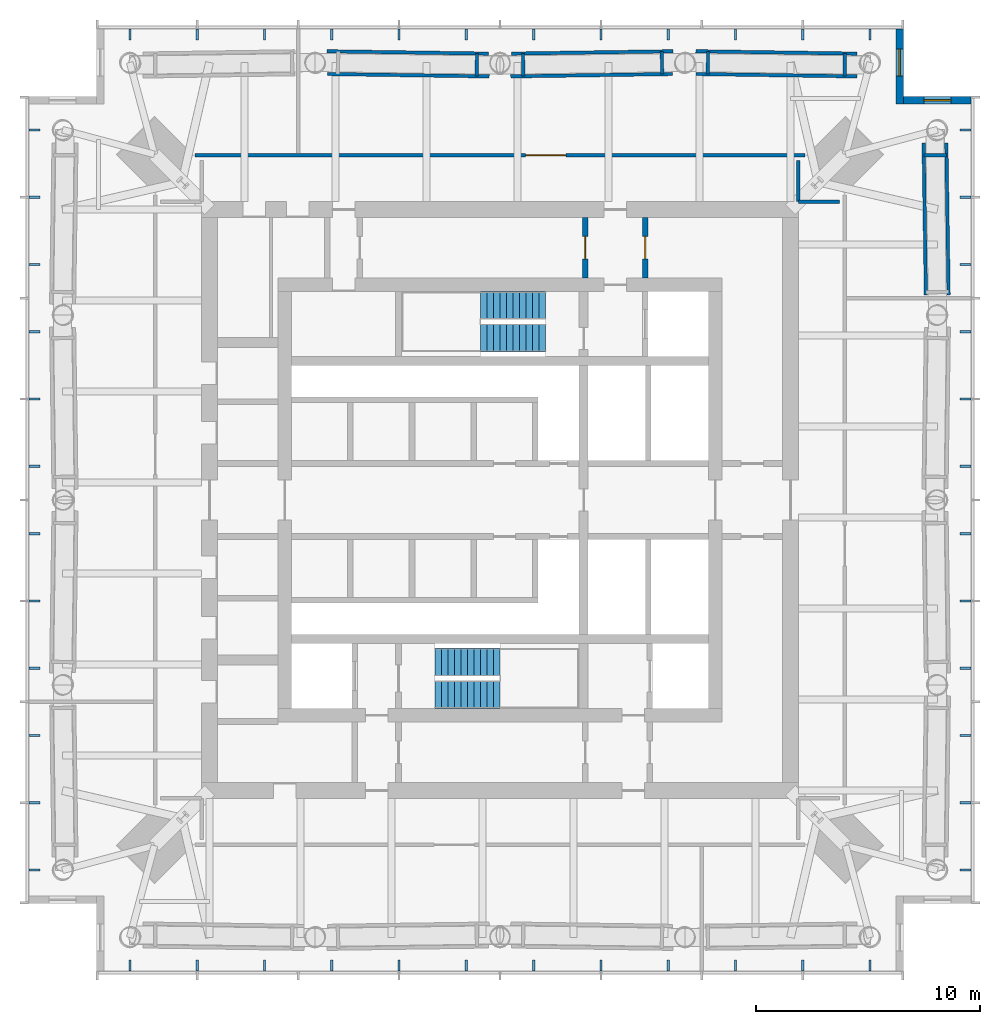
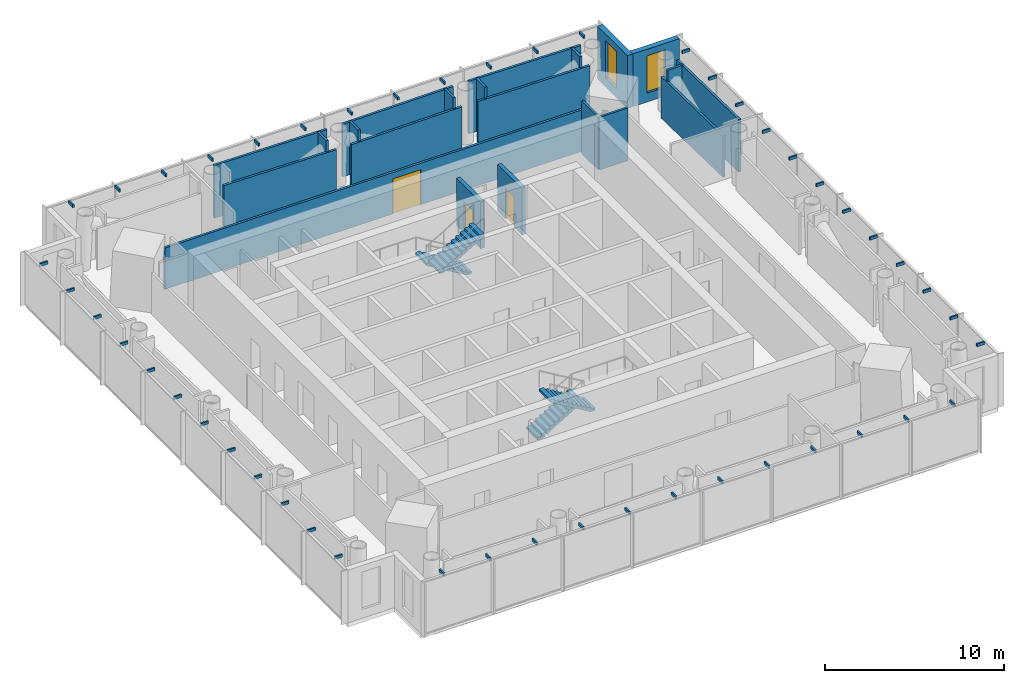
# One storey, part 8 of 9: 48 discrete accessories, 21 walls, 4 stair flights, 3 doors, 2 windows, 5 openings, 2 elements without a shape of their own.
"""IFC4 building model written with IfcOpenShell, lengths in metres."""

from ifc_helpers import new_model, si_unit, direction, frame, frame_2d, origin, origin_2d, place, context, subcontext, project, spatial, polyline, rectangle, outline, extrude, material, layer, layer_set, type_object, element, fill, aggregate, save


model = new_model("IFC4")

# Units and contexts
model_context = context("Model", 3, precision=1e-05, world=origin(), true_north=direction((0.0, 1.0)))
body_context = subcontext(model_context, "Body", "Model", "MODEL_VIEW")
ifc_project = project(units=[si_unit("LENGTHUNIT", "METRE"), si_unit("AREAUNIT", "SQUARE_METRE"), si_unit("VOLUMEUNIT", "CUBIC_METRE"), si_unit("PLANEANGLEUNIT", "RADIAN"), si_unit("MASSUNIT", "GRAM", prefix="KILO")], contexts=[model_context])

# Site, building, storey
site_placement = place(None, origin())
site = spatial("IfcSite", under=ifc_project, at=site_placement, CompositionType="ELEMENT")
building_placement = place(site_placement, origin())
building = spatial("IfcBuilding", under=site, at=building_placement, Name="Ostroluk Exchange", CompositionType="ELEMENT")
storey_placement = place(building_placement, frame((0.0, 0.0, 161.60009765625)))
storey = spatial("IfcBuildingStorey", under=building, at=storey_placement, Name="L41", CompositionType="ELEMENT", Elevation=161.60009765625)

# Wall, opening, door
ifc_material_1 = material(Name="Concrete blockwork", Category="masonry")
ifc_layer_1 = layer(ifc_material_1, 0.25)
ifc_layer_set_1 = layer_set([ifc_layer_1], Name="Blockwork stair enclosure wall 250")
wall_type_1 = type_object("IfcWallType", Name="Blockwork stair enclosure wall 250", PredefinedType="SOLIDWALL", material=ifc_layer_set_1)
wall_1_placement = place(storey_placement, frame((48.804931640625, 55.89990234375, 0.0), z_axis=(0.0, 0.0, 1.0), x_axis=(0.0, 1.0, 0.0)))
wall_1 = element("IfcWall", 1, at=wall_1_placement, inside=storey, type_object=wall_type_1, Name="Fire lobby enclosure wall", PredefinedType="SOLIDWALL", context=body_context, shape_type="SweptSolid", body=[
    extrude(rectangle(XDim=2.7001953125, YDim=0.25, at=frame_2d((1.35009765625, 0.0))), origin(), (0.0, 0.0, 1.0), 3.199951171875),
])
opening_1_placement = place(wall_1_placement, frame((0.85009765625, 0.0, 0.0)))
opening_1 = element("IfcOpeningElement", 2, at=opening_1_placement, cuts=wall_1, Name="Opening FD60", PredefinedType="OPENING", context=body_context, shape_type="SweptSolid", body=[
    extrude(rectangle(XDim=1.0, YDim=2.10009765625, at=frame_2d((0.5, 1.050048828125))), frame((0.0, 0.135009765625, 0.0), z_axis=(0.0, -1.0, 0.0), x_axis=(1.0, 0.0, 0.0)), (0.0, 0.0, 1.0), 0.27001953125),
])
ifc_material_2 = material(Name="Steel", Category="steel")
door_type_1 = type_object("IfcDoorType", Name="Fire door EI 60 1000 x 2100", OperationType="SINGLE_SWING_LEFT", PredefinedType="DOOR", material=ifc_material_2)
door_1_placement = place(opening_1_placement, origin())
door_1 = element("IfcDoor", 3, at=door_1_placement, inside=storey, type_object=door_type_1, Name="Core link door", OperationType="SINGLE_SWING_LEFT", OverallHeight=2.10009765625, OverallWidth=1.0, PredefinedType="DOOR", context=body_context, shape_type="SweptSolid", body=[
    extrude(rectangle(XDim=1.0, YDim=2.10009765625, at=frame_2d((0.5, 1.050048828125))), frame((0.0, 0.02490234375, 0.0), z_axis=(0.0, -1.0, 0.0), x_axis=(1.0, 0.0, 0.0)), (0.0, 0.0, 1.0), 0.050048828125),
])
fill(opening_1, door_1)

wall_2_placement = place(storey_placement, frame((51.47509765625, 55.89990234375, 0.0), z_axis=(0.0, 0.0, 1.0), x_axis=(0.0, 1.0, 0.0)))
wall_2 = element("IfcWall", 4, at=wall_2_placement, inside=storey, type_object=wall_type_1, Name="Fire lobby enclosure wall", PredefinedType="SOLIDWALL", context=body_context, shape_type="SweptSolid", body=[
    extrude(rectangle(XDim=2.7001953125, YDim=0.25, at=frame_2d((1.35009765625, 0.0))), origin(), (0.0, 0.0, 1.0), 3.199951171875),
])
opening_2_placement = place(wall_2_placement, frame((0.85009765625, 0.0, 0.0)))
opening_2 = element("IfcOpeningElement", 5, at=opening_2_placement, cuts=wall_2, Name="Opening FD60", PredefinedType="OPENING", context=body_context, shape_type="SweptSolid", body=[
    extrude(rectangle(XDim=1.0, YDim=2.10009765625, at=frame_2d((0.5, 1.050048828125))), frame((0.0, 0.135009765625, 0.0), z_axis=(0.0, -1.0, 0.0), x_axis=(1.0, 0.0, 0.0)), (0.0, 0.0, 1.0), 0.27001953125),
])
door_2_placement = place(opening_2_placement, origin())
door_2 = element("IfcDoor", 6, at=door_2_placement, inside=storey, type_object=door_type_1, Name="Core link door", OperationType="SINGLE_SWING_LEFT", OverallHeight=2.10009765625, OverallWidth=1.0, PredefinedType="DOOR", context=body_context, shape_type="SweptSolid", body=[
    extrude(rectangle(XDim=1.0, YDim=2.10009765625, at=frame_2d((0.5, 1.050048828125))), frame((0.0, 0.02490234375, 0.0), z_axis=(0.0, -1.0, 0.0), x_axis=(1.0, 0.0, 0.0)), (0.0, 0.0, 1.0), 0.050048828125),
])
fill(opening_2, door_2)

# Wall, opening, window
ifc_material_3 = material(Name="Limestone", Category="masonry")
ifc_layer_2 = layer(ifc_material_3, 0.35009765625)
ifc_layer_set_2 = layer_set([ifc_layer_2], Name="Limestone facade wall 350")
wall_type_2 = type_object("IfcWallType", Name="Limestone facade wall 350", PredefinedType="SOLIDWALL", material=ifc_layer_set_2)
wall_3_placement = place(storey_placement, frame((62.824951171875, 67.0, 0.0), z_axis=(0.0, 0.0, 1.0), x_axis=(0.0, -1.0, 0.0)))
wall_3 = element("IfcWall", 7, at=wall_3_placement, inside=storey, type_object=wall_type_2, Name="Office tower NE corner wall L41 a", PredefinedType="SOLIDWALL", context=body_context, shape_type="SweptSolid", body=[
    extrude(rectangle(XDim=3.35009765625, YDim=0.35009765625, at=frame_2d((1.675048828125, 0.0))), origin(), (0.0, 0.0, 1.0), 3.599853515625),
])
opening_3_placement = place(wall_3_placement, frame((0.89990234375, 0.0, 0.60009765625)))
opening_3 = element("IfcOpeningElement", 8, at=opening_3_placement, cuts=wall_3, Name="Opening WN-LV1", PredefinedType="OPENING", context=body_context, shape_type="SweptSolid", body=[
    extrude(rectangle(XDim=1.199951171875, YDim=2.550048828125, at=frame_2d((0.60009765625, 1.27490234375))), frame((0.0, 0.18505859375, 0.0), z_axis=(0.0, -1.0, 0.0), x_axis=(1.0, 0.0, 0.0)), (0.0, 0.0, 1.0), 0.3701171875),
])
ifc_material_4 = material(Name="Aluminium louvre", Category="aluminium")
window_type = type_object("IfcWindowType", Name="Lancet louvre 1200 x 2550", PartitioningType="SINGLE_PANEL", PredefinedType="USERDEFINED", material=ifc_material_4)
window_1_placement = place(opening_3_placement, origin())
window_1 = element("IfcWindow", 9, at=window_1_placement, inside=storey, type_object=window_type, Name="Office tower NE plant louvre L41", ObjectType="LOUVRE", OverallHeight=2.550048828125, OverallWidth=1.199951171875, PartitioningType="SINGLE_PANEL", PredefinedType="USERDEFINED", context=body_context, shape_type="SweptSolid", body=[
    extrude(rectangle(XDim=1.199951171875, YDim=2.550048828125, at=frame_2d((0.60009765625, 1.27490234375))), frame((0.0, 0.030029296875, 0.0), z_axis=(0.0, -1.0, 0.0), x_axis=(1.0, 0.0, 0.0)), (0.0, 0.0, 1.0), 0.06005859375),
])
fill(opening_3, window_1)

wall_4_placement = place(storey_placement, frame((63.0, 63.824951171875, 0.0), z_axis=(0.0, 0.0, 1.0), x_axis=(1.0, 0.0, 0.0)))
wall_4 = element("IfcWall", 10, at=wall_4_placement, inside=storey, type_object=wall_type_2, Name="Office tower NE corner wall L41 b", PredefinedType="SOLIDWALL", context=body_context, shape_type="SweptSolid", body=[
    extrude(rectangle(XDim=3.0, YDim=0.35009765625, at=frame_2d((1.5, 0.0))), origin(), (0.0, 0.0, 1.0), 3.599853515625),
])
opening_4_placement = place(wall_4_placement, frame((0.89990234375, 0.0, 0.60009765625)))
opening_4 = element("IfcOpeningElement", 11, at=opening_4_placement, cuts=wall_4, Name="Opening WN-LV1", PredefinedType="OPENING", context=body_context, shape_type="SweptSolid", body=[
    extrude(rectangle(XDim=1.199951171875, YDim=2.550048828125, at=frame_2d((0.60009765625, 1.27490234375))), frame((0.0, 0.18505859375, 0.0), z_axis=(0.0, -1.0, 0.0), x_axis=(1.0, 0.0, 0.0)), (0.0, 0.0, 1.0), 0.3701171875),
])
window_2_placement = place(opening_4_placement, origin())
window_2 = element("IfcWindow", 12, at=window_2_placement, inside=storey, type_object=window_type, Name="Office tower NE plant louvre L41", ObjectType="LOUVRE", OverallHeight=2.550048828125, OverallWidth=1.199951171875, PartitioningType="SINGLE_PANEL", PredefinedType="USERDEFINED", context=body_context, shape_type="SweptSolid", body=[
    extrude(rectangle(XDim=1.199951171875, YDim=2.550048828125, at=frame_2d((0.60009765625, 1.27490234375))), frame((0.0, 0.030029296875, 0.0), z_axis=(0.0, -1.0, 0.0), x_axis=(1.0, 0.0, 0.0)), (0.0, 0.0, 1.0), 0.06005859375),
])
fill(opening_4, window_2)

# Walls
ifc_material_5 = material(Name="Gypsum plasterboard partition", Category="gypsum")
ifc_layer_3 = layer(ifc_material_5, 0.14990234375)
ifc_layer_set_3 = layer_set([ifc_layer_3], Name="Plasterboard partition 150")
wall_type_3 = type_object("IfcWallType", Name="Plasterboard partition 150", PredefinedType="PARTITIONING", material=ifc_layer_set_3)
for number, where, z_axis, x_axis, name in (
    (13, (58.300048828125, 59.300048828125, 0.0), (0.0, 0.0, 1.0), (1.0, 0.0, 0.0), "Partition"),
    (14, (58.300048828125, 59.300048828125, 0.0), (0.0, 0.0, 1.0), (0.0, 1.0, 0.0), "Partition"),
):
    element("IfcWall", number, at=place(storey_placement, frame(where, z_axis=z_axis, x_axis=x_axis)), inside=storey, type_object=wall_type_3, Name=name, PredefinedType="PARTITIONING", context=body_context, shape_type="SweptSolid", body=[
        extrude(rectangle(XDim=1.828857421875, YDim=0.14990234375, at=frame_2d((0.91455078125, 0.0))), origin(), (0.0, 0.0, 1.0), 3.599853515625),
    ])

# Wall, opening, door
wall_5_placement = place(storey_placement, frame((58.60302734375, 61.375, 0.0), z_axis=(0.0, 0.0, 1.0), x_axis=(-1.0, 0.0, 0.0)))
wall_5 = element("IfcWall", 15, at=wall_5_placement, inside=storey, type_object=wall_type_3, Name="Partition", PredefinedType="PARTITIONING", context=body_context, shape_type="SweptSolid", body=[
    extrude(rectangle(XDim=27.2060546875, YDim=0.14990234375, at=frame_2d((13.60302734375, 0.0))), origin(), (0.0, 0.0, 1.0), 2.829833984375),
])
opening_5_placement = place(wall_5_placement, frame((10.66552734375, 0.0, 0.0)))
opening_5 = element("IfcOpeningElement", 16, at=opening_5_placement, cuts=wall_5, Name="Opening D-04", PredefinedType="OPENING", context=body_context, shape_type="SweptSolid", body=[
    extrude(rectangle(XDim=1.800048828125, YDim=2.39990234375, at=frame_2d((0.89990234375, 1.199951171875))), frame((0.0, 0.0849609375, 0.0), z_axis=(0.0, -1.0, 0.0), x_axis=(1.0, 0.0, 0.0)), (0.0, 0.0, 1.0), 0.169921875),
])
ifc_material_6 = material(Name="Timber", Category="wood")
door_type_2 = type_object("IfcDoorType", Name="Double door 1800 x 2400", OperationType="DOUBLE_DOOR_SINGLE_SWING", PredefinedType="DOOR", material=ifc_material_6)
door_3_placement = place(opening_5_placement, origin())
door_3 = element("IfcDoor", 17, at=door_3_placement, inside=storey, type_object=door_type_2, Name="Refuge area door", OperationType="DOUBLE_DOOR_SINGLE_SWING", OverallHeight=2.39990234375, OverallWidth=1.800048828125, PredefinedType="DOOR", context=body_context, shape_type="SweptSolid", body=[
    extrude(rectangle(XDim=1.800048828125, YDim=2.39990234375, at=frame_2d((0.89990234375, 1.199951171875))), frame((0.0, 0.02490234375, 0.0), z_axis=(0.0, -1.0, 0.0), x_axis=(1.0, 0.0, 0.0)), (0.0, 0.0, 1.0), 0.050048828125),
])
fill(opening_5, door_3)

# Walls
wall_6_placement = place(storey_placement, frame((43.975830078125, 65.9072265625, 0.0), z_axis=(0.0, 0.0, 1.0), x_axis=(-0.014704292442, -0.999891886048, 0.0)))
element("IfcWall", 18, at=wall_6_placement, inside=storey, type_object=wall_type_3, Name="Partition", PredefinedType="PARTITIONING", context=body_context, shape_type="SweptSolid", body=[
    extrude(rectangle(XDim=1.0126953125, YDim=0.14990234375, at=frame_2d((0.50634765625, 0.0))), origin(), (0.0, 0.0, 1.0), 3.599853515625),
])
wall_7_placement = place(storey_placement, frame((44.520751953125, 64.88623046875, 0.0), z_axis=(0.0, 0.0, 1.0), x_axis=(-0.999892032411, 0.014694336383, 0.0)))
element("IfcWall", 19, at=wall_7_placement, inside=storey, type_object=wall_type_3, Name="Partition", PredefinedType="PARTITIONING", context=body_context, shape_type="SweptSolid", body=[
    extrude(rectangle(XDim=7.210693359375, YDim=0.14990234375, at=frame_2d((3.60546875, 0.0))), origin(), (0.0, 0.0, 1.0), 2.829833984375),
])
wall_8_placement = place(storey_placement, frame((37.280029296875, 66.005859375, 0.0), z_axis=(0.0, 0.0, 1.0), x_axis=(0.999891703097, -0.014716727824, 0.0)))
element("IfcWall", 20, at=wall_8_placement, inside=storey, type_object=wall_type_3, Name="Partition", PredefinedType="PARTITIONING", context=body_context, shape_type="SweptSolid", body=[
    extrude(rectangle(XDim=7.21630859375, YDim=0.14990234375, at=frame_2d((3.608154296875, 0.0))), origin(), (0.0, 0.0, 1.0), 3.599853515625),
])
wall_9_placement = place(storey_placement, frame((63.9873046875, 55.14990234375, 0.0), z_axis=(0.0, 0.0, 1.0), x_axis=(-0.014946337199, 0.999888297263, 0.0)))
element("IfcWall", 21, at=wall_9_placement, inside=storey, type_object=wall_type_3, Name="Partition", PredefinedType="PARTITIONING", context=body_context, shape_type="SweptSolid", body=[
    extrude(rectangle(XDim=6.762451171875, YDim=0.14990234375, at=frame_2d((3.38134765625, 0.0))), origin(), (0.0, 0.0, 1.0), 2.829833984375),
])
wall_10_placement = place(storey_placement, frame((63.89453125, 61.361572265625, 0.0), z_axis=(0.0, 0.0, 1.0), x_axis=(0.999888312871, 0.014945293008, 0.0)))
element("IfcWall", 22, at=wall_10_placement, inside=storey, type_object=wall_type_3, Name="Partition", PredefinedType="PARTITIONING", context=body_context, shape_type="SweptSolid", body=[
    extrude(rectangle(XDim=1.0126953125, YDim=0.14990234375, at=frame_2d((0.50634765625, 0.0))), origin(), (0.0, 0.0, 1.0), 3.599853515625),
])
wall_11_placement = place(storey_placement, frame((64.899169921875, 61.916748046875, 0.0), z_axis=(0.0, 0.0, 1.0), x_axis=(0.014935015518, -0.999888466436, 0.0)))
element("IfcWall", 23, at=wall_11_placement, inside=storey, type_object=wall_type_3, Name="Partition", PredefinedType="PARTITIONING", context=body_context, shape_type="SweptSolid", body=[
    extrude(rectangle(XDim=6.767578125, YDim=0.14990234375, at=frame_2d((3.3837890625, 0.0))), origin(), (0.0, 0.0, 1.0), 3.599853515625),
])
wall_12_placement = place(storey_placement, frame((46.0390625, 64.89453125, 0.0), z_axis=(0.0, 0.0, 1.0), x_axis=(-0.014704292442, 0.999891886048, 0.0)))
element("IfcWall", 24, at=wall_12_placement, inside=storey, type_object=wall_type_3, Name="Partition", PredefinedType="PARTITIONING", context=body_context, shape_type="SweptSolid", body=[
    extrude(rectangle(XDim=1.0126953125, YDim=0.14990234375, at=frame_2d((0.50634765625, 0.0))), origin(), (0.0, 0.0, 1.0), 3.599853515625),
])
wall_13_placement = place(storey_placement, frame((45.50439453125, 65.899658203125, 0.0), z_axis=(0.0, 0.0, 1.0), x_axis=(0.999891703097, 0.014716727824, 0.0)))
element("IfcWall", 25, at=wall_13_placement, inside=storey, type_object=wall_type_3, Name="Partition", PredefinedType="PARTITIONING", context=body_context, shape_type="SweptSolid", body=[
    extrude(rectangle(XDim=7.21630859375, YDim=0.14990234375, at=frame_2d((3.608154296875, 0.0))), origin(), (0.0, 0.0, 1.0), 3.599853515625),
])
wall_14_placement = place(storey_placement, frame((52.21435546875, 65.998291015625, 0.0), z_axis=(0.0, 0.0, 1.0), x_axis=(0.014704292442, -0.999891886048, 0.0)))
element("IfcWall", 26, at=wall_14_placement, inside=storey, type_object=wall_type_3, Name="Partition", PredefinedType="PARTITIONING", context=body_context, shape_type="SweptSolid", body=[
    extrude(rectangle(XDim=1.0126953125, YDim=0.14990234375, at=frame_2d((0.50634765625, 0.0))), origin(), (0.0, 0.0, 1.0), 3.599853515625),
])
wall_15_placement = place(storey_placement, frame((52.689208984375, 64.9921875, 0.0), z_axis=(0.0, 0.0, 1.0), x_axis=(-0.999892032411, -0.014694336383, 0.0)))
element("IfcWall", 27, at=wall_15_placement, inside=storey, type_object=wall_type_3, Name="Partition", PredefinedType="PARTITIONING", context=body_context, shape_type="SweptSolid", body=[
    extrude(rectangle(XDim=7.210693359375, YDim=0.14990234375, at=frame_2d((3.60546875, 0.0))), origin(), (0.0, 0.0, 1.0), 2.829833984375),
])
wall_16_placement = place(storey_placement, frame((60.91162109375, 64.88623046875, 0.0), z_axis=(0.0, 0.0, 1.0), x_axis=(-0.99988857463, 0.014927770252, 0.0)))
element("IfcWall", 28, at=wall_16_placement, inside=storey, type_object=wall_type_3, Name="Partition", PredefinedType="PARTITIONING", context=body_context, shape_type="SweptSolid", body=[
    extrude(rectangle(XDim=7.1796875, YDim=0.14990234375, at=frame_2d((3.58984375, 0.0))), origin(), (0.0, 0.0, 1.0), 2.829833984375),
])
wall_17_placement = place(storey_placement, frame((54.262451171875, 64.985595703125, 0.0), z_axis=(0.0, 0.0, 1.0), x_axis=(0.014945293008, 0.999888312871, 0.0)))
element("IfcWall", 29, at=wall_17_placement, inside=storey, type_object=wall_type_3, Name="Partition", PredefinedType="PARTITIONING", context=body_context, shape_type="SweptSolid", body=[
    extrude(rectangle(XDim=1.0126953125, YDim=0.14990234375, at=frame_2d((0.50634765625, 0.0))), origin(), (0.0, 0.0, 1.0), 3.599853515625),
])
wall_18_placement = place(storey_placement, frame((53.727783203125, 66.006591796875, 0.0), z_axis=(0.0, 0.0, 1.0), x_axis=(0.999888377943, -0.014940938881, 0.0)))
element("IfcWall", 30, at=wall_18_placement, inside=storey, type_object=wall_type_3, Name="Partition", PredefinedType="PARTITIONING", context=body_context, shape_type="SweptSolid", body=[
    extrude(rectangle(XDim=7.189697265625, YDim=0.14990234375, at=frame_2d((3.5947265625, 0.0))), origin(), (0.0, 0.0, 1.0), 3.599853515625),
])
wall_19_placement = place(storey_placement, frame((60.376708984375, 65.9072265625, 0.0), z_axis=(0.0, 0.0, 1.0), x_axis=(-0.014945293008, -0.999888312871, 0.0)))
element("IfcWall", 31, at=wall_19_placement, inside=storey, type_object=wall_type_3, Name="Partition", PredefinedType="PARTITIONING", context=body_context, shape_type="SweptSolid", body=[
    extrude(rectangle(XDim=1.0126953125, YDim=0.14990234375, at=frame_2d((0.50634765625, 0.0))), origin(), (0.0, 0.0, 1.0), 3.599853515625),
])

# Stair, stair flights
ifc_material_7 = material(Name="Concrete C30/37", Category="concrete")
stair_type = type_object("IfcStairType", Name="Exit stair half turn 3800", PredefinedType="HALF_TURN_STAIR", material=ifc_material_7)
stair_1_placement = place(storey_placement, origin())
stair_1 = element("IfcStair", 32, at=stair_1_placement, inside=storey, type_object=stair_type, Name="Stair T1-S1 L41", PredefinedType="HALF_TURN_STAIR")
ifc_material_8 = material(Name="Concrete C30/37", Category="concrete")
stair_flight_type = type_object("IfcStairFlightType", Name="Stair flight 11 risers 172.7 x 290", PredefinedType="STRAIGHT", material=ifc_material_8)
stair_flight_1_placement = place(storey_placement, frame((42.10009765625, 38.77490234375, 0.0), z_axis=(0.0, 0.0, 1.0), x_axis=(1.0, 0.0, 0.0)))
stair_flight_1 = element("IfcStairFlight", 33, at=stair_flight_1_placement, type_object=stair_flight_type, Name="T1-S1 flight 1", NumberOfRisers=11, NumberOfTreads=10, PredefinedType="STRAIGHT", RiserHeight=0.172727273, TreadLength=0.29, context=body_context, shape_type="SweptSolid", body=[
    extrude(outline(polyline([(0.0, 0.0), (0.0, 0.172607421875), (0.2900390625, 0.172607421875), (0.2900390625, 0.345458984375), (0.580078125, 0.345458984375), (0.580078125, 0.51806640625), (0.8701171875, 0.51806640625), (0.8701171875, 0.69091796875), (1.159912109375, 0.69091796875), (1.159912109375, 0.863525390625), (1.449951171875, 0.863525390625), (1.449951171875, 1.036376953125), (1.739990234375, 1.036376953125), (1.739990234375, 1.208984375), (2.030029296875, 1.208984375), (2.030029296875, 1.3818359375), (2.320068359375, 1.3818359375), (2.320068359375, 1.554443359375), (2.610107421875, 1.554443359375), (2.610107421875, 1.727294921875), (2.89990234375, 1.727294921875), (2.89990234375, 1.89990234375), (2.89990234375, 1.552734375), (0.29296875, 0.0), (0.0, 0.0)])), frame((0.0, 0.625, 0.0), z_axis=(0.0, -1.0, 0.0), x_axis=(1.0, 0.0, 0.0)), (0.0, 0.0, 1.0), 1.25),
])
stair_flight_2_placement = place(storey_placement, frame((45.0, 37.324951171875, 1.89990234375), z_axis=(0.0, 0.0, 1.0), x_axis=(-1.0, 0.0, 0.0)))
stair_flight_2 = element("IfcStairFlight", 34, at=stair_flight_2_placement, type_object=stair_flight_type, Name="T1-S1 flight 2", NumberOfRisers=11, NumberOfTreads=10, PredefinedType="STRAIGHT", RiserHeight=0.172727273, TreadLength=0.29, context=body_context, shape_type="SweptSolid", body=[
    extrude(outline(polyline([(0.0, 0.0), (0.0, 0.172607421875), (0.2900390625, 0.172607421875), (0.2900390625, 0.345458984375), (0.580078125, 0.345458984375), (0.580078125, 0.51806640625), (0.8701171875, 0.51806640625), (0.8701171875, 0.69091796875), (1.159912109375, 0.69091796875), (1.159912109375, 0.863525390625), (1.449951171875, 0.863525390625), (1.449951171875, 1.036376953125), (1.739990234375, 1.036376953125), (1.739990234375, 1.208984375), (2.030029296875, 1.208984375), (2.030029296875, 1.3818359375), (2.320068359375, 1.3818359375), (2.320068359375, 1.554443359375), (2.610107421875, 1.554443359375), (2.610107421875, 1.727294921875), (2.89990234375, 1.727294921875), (2.89990234375, 1.89990234375), (2.89990234375, 1.552734375), (0.29296875, 0.0), (0.0, 0.0)])), frame((0.0, 0.625, 0.0), z_axis=(0.0, -1.0, 0.0), x_axis=(1.0, 0.0, 0.0)), (0.0, 0.0, 1.0), 1.25),
])
aggregate(stair_1, [stair_flight_1, stair_flight_2])

stair_2_placement = place(storey_placement, origin())
stair_2 = element("IfcStair", 35, at=stair_2_placement, inside=storey, type_object=stair_type, Name="Stair T1-S2 L41", PredefinedType="HALF_TURN_STAIR")
stair_flight_3_placement = place(storey_placement, frame((47.030029296875, 54.675048828125, 0.0), z_axis=(0.0, 0.0, 1.0), x_axis=(-1.0, 0.0, 0.0)))
stair_flight_3 = element("IfcStairFlight", 36, at=stair_flight_3_placement, type_object=stair_flight_type, Name="T1-S2 flight 1", NumberOfRisers=11, NumberOfTreads=10, PredefinedType="STRAIGHT", RiserHeight=0.172727273, TreadLength=0.29, context=body_context, shape_type="SweptSolid", body=[
    extrude(outline(polyline([(0.0, 0.0), (0.0, 0.172607421875), (0.2900390625, 0.172607421875), (0.2900390625, 0.345458984375), (0.580078125, 0.345458984375), (0.580078125, 0.51806640625), (0.8701171875, 0.51806640625), (0.8701171875, 0.69091796875), (1.159912109375, 0.69091796875), (1.159912109375, 0.863525390625), (1.449951171875, 0.863525390625), (1.449951171875, 1.036376953125), (1.739990234375, 1.036376953125), (1.739990234375, 1.208984375), (2.030029296875, 1.208984375), (2.030029296875, 1.3818359375), (2.320068359375, 1.3818359375), (2.320068359375, 1.554443359375), (2.610107421875, 1.554443359375), (2.610107421875, 1.727294921875), (2.89990234375, 1.727294921875), (2.89990234375, 1.89990234375), (2.89990234375, 1.552734375), (0.29296875, 0.0), (0.0, 0.0)])), frame((0.0, 0.625, 0.0), z_axis=(0.0, -1.0, 0.0), x_axis=(1.0, 0.0, 0.0)), (0.0, 0.0, 1.0), 1.25),
])
stair_flight_4_placement = place(storey_placement, frame((44.1298828125, 53.22509765625, 1.89990234375), z_axis=(0.0, 0.0, 1.0), x_axis=(1.0, 0.0, 0.0)))
stair_flight_4 = element("IfcStairFlight", 37, at=stair_flight_4_placement, type_object=stair_flight_type, Name="T1-S2 flight 2", NumberOfRisers=11, NumberOfTreads=10, PredefinedType="STRAIGHT", RiserHeight=0.172727273, TreadLength=0.29, context=body_context, shape_type="SweptSolid", body=[
    extrude(outline(polyline([(0.0, 0.0), (0.0, 0.172607421875), (0.2900390625, 0.172607421875), (0.2900390625, 0.345458984375), (0.580078125, 0.345458984375), (0.580078125, 0.51806640625), (0.8701171875, 0.51806640625), (0.8701171875, 0.69091796875), (1.159912109375, 0.69091796875), (1.159912109375, 0.863525390625), (1.449951171875, 0.863525390625), (1.449951171875, 1.036376953125), (1.739990234375, 1.036376953125), (1.739990234375, 1.208984375), (2.030029296875, 1.208984375), (2.030029296875, 1.3818359375), (2.320068359375, 1.3818359375), (2.320068359375, 1.554443359375), (2.610107421875, 1.554443359375), (2.610107421875, 1.727294921875), (2.89990234375, 1.727294921875), (2.89990234375, 1.89990234375), (2.89990234375, 1.552734375), (0.29296875, 0.0), (0.0, 0.0)])), frame((0.0, 0.625, 0.0), z_axis=(0.0, -1.0, 0.0), x_axis=(1.0, 0.0, 0.0)), (0.0, 0.0, 1.0), 1.25),
])
aggregate(stair_2, [stair_flight_3, stair_flight_4])

# Discrete accessories
ifc_material_9 = material(Name="Steel S355", Category="steel")
discrete_accessory_type = type_object("IfcDiscreteAccessoryType", Name="Maintenance roof bracket", PredefinedType="BRACKET", material=ifc_material_9)
for number, where, z_axis, x_axis, name in (
    (38, (28.5, 25.25, 3.44970703125), (0.0, 0.0, 1.0), (1.0, 0.0, 0.0), "Maintenance roof bracket L42 south 1"),
    (39, (31.5, 25.25, 3.44970703125), (0.0, 0.0, 1.0), (1.0, 0.0, 0.0), "Maintenance roof bracket L42 south 2"),
    (40, (34.5, 25.25, 3.44970703125), (0.0, 0.0, 1.0), (1.0, 0.0, 0.0), "Maintenance roof bracket L42 south 3"),
    (41, (37.5, 25.25, 3.44970703125), (0.0, 0.0, 1.0), (1.0, 0.0, 0.0), "Maintenance roof bracket L42 south 4"),
    (42, (40.5, 25.25, 3.44970703125), (0.0, 0.0, 1.0), (1.0, 0.0, 0.0), "Maintenance roof bracket L42 south 5"),
    (43, (43.5, 25.25, 3.44970703125), (0.0, 0.0, 1.0), (1.0, 0.0, 0.0), "Maintenance roof bracket L42 south 6"),
    (44, (46.5, 25.25, 3.44970703125), (0.0, 0.0, 1.0), (1.0, 0.0, 0.0), "Maintenance roof bracket L42 south 7"),
    (45, (49.5, 25.25, 3.44970703125), (0.0, 0.0, 1.0), (1.0, 0.0, 0.0), "Maintenance roof bracket L42 south 8"),
    (46, (52.5, 25.25, 3.44970703125), (0.0, 0.0, 1.0), (1.0, 0.0, 0.0), "Maintenance roof bracket L42 south 9"),
    (47, (55.5, 25.25, 3.44970703125), (0.0, 0.0, 1.0), (1.0, 0.0, 0.0), "Maintenance roof bracket L42 south 10"),
    (48, (58.5, 25.25, 3.44970703125), (0.0, 0.0, 1.0), (1.0, 0.0, 0.0), "Maintenance roof bracket L42 south 11"),
    (49, (61.5, 25.25, 3.44970703125), (0.0, 0.0, 1.0), (1.0, 0.0, 0.0), "Maintenance roof bracket L42 south 12"),
):
    element("IfcDiscreteAccessory", number, at=place(storey_placement, frame(where, z_axis=z_axis, x_axis=x_axis)), inside=storey, type_object=discrete_accessory_type, Name=name, PredefinedType="BRACKET", context=body_context, shape_type="SweptSolid", body=[
        extrude(rectangle(XDim=0.10009765625, YDim=0.5, at=origin_2d()), origin(), (0.0, 0.0, 1.0), 0.199951171875),
    ])
for number, where, z_axis, x_axis, name in (
    (50, (65.75, 29.5, 3.44970703125), (0.0, 0.0, 1.0), (1.0, 0.0, 0.0), "Maintenance roof bracket L42 east 1"),
    (51, (65.75, 32.5, 3.44970703125), (0.0, 0.0, 1.0), (1.0, 0.0, 0.0), "Maintenance roof bracket L42 east 2"),
    (52, (65.75, 35.5, 3.44970703125), (0.0, 0.0, 1.0), (1.0, 0.0, 0.0), "Maintenance roof bracket L42 east 3"),
    (53, (65.75, 38.5, 3.44970703125), (0.0, 0.0, 1.0), (1.0, 0.0, 0.0), "Maintenance roof bracket L42 east 4"),
    (54, (65.75, 41.5, 3.44970703125), (0.0, 0.0, 1.0), (1.0, 0.0, 0.0), "Maintenance roof bracket L42 east 5"),
    (55, (65.75, 44.5, 3.44970703125), (0.0, 0.0, 1.0), (1.0, 0.0, 0.0), "Maintenance roof bracket L42 east 6"),
    (56, (65.75, 47.5, 3.44970703125), (0.0, 0.0, 1.0), (1.0, 0.0, 0.0), "Maintenance roof bracket L42 east 7"),
    (57, (65.75, 50.5, 3.44970703125), (0.0, 0.0, 1.0), (1.0, 0.0, 0.0), "Maintenance roof bracket L42 east 8"),
    (58, (65.75, 53.5, 3.44970703125), (0.0, 0.0, 1.0), (1.0, 0.0, 0.0), "Maintenance roof bracket L42 east 9"),
    (59, (65.75, 56.5, 3.44970703125), (0.0, 0.0, 1.0), (1.0, 0.0, 0.0), "Maintenance roof bracket L42 east 10"),
    (60, (65.75, 59.5, 3.44970703125), (0.0, 0.0, 1.0), (1.0, 0.0, 0.0), "Maintenance roof bracket L42 east 11"),
    (61, (65.75, 62.5, 3.44970703125), (0.0, 0.0, 1.0), (1.0, 0.0, 0.0), "Maintenance roof bracket L42 east 12"),
):
    element("IfcDiscreteAccessory", number, at=place(storey_placement, frame(where, z_axis=z_axis, x_axis=x_axis)), inside=storey, type_object=discrete_accessory_type, Name=name, PredefinedType="BRACKET", context=body_context, shape_type="SweptSolid", body=[
        extrude(rectangle(XDim=0.5, YDim=0.10009765625, at=origin_2d()), origin(), (0.0, 0.0, 1.0), 0.199951171875),
    ])
for number, where, z_axis, x_axis, name in (
    (62, (28.5, 66.75, 3.44970703125), (0.0, 0.0, 1.0), (1.0, 0.0, 0.0), "Maintenance roof bracket L42 north 1"),
    (63, (31.5, 66.75, 3.44970703125), (0.0, 0.0, 1.0), (1.0, 0.0, 0.0), "Maintenance roof bracket L42 north 2"),
    (64, (34.5, 66.75, 3.44970703125), (0.0, 0.0, 1.0), (1.0, 0.0, 0.0), "Maintenance roof bracket L42 north 3"),
    (65, (37.5, 66.75, 3.44970703125), (0.0, 0.0, 1.0), (1.0, 0.0, 0.0), "Maintenance roof bracket L42 north 4"),
    (66, (40.5, 66.75, 3.44970703125), (0.0, 0.0, 1.0), (1.0, 0.0, 0.0), "Maintenance roof bracket L42 north 5"),
    (67, (43.5, 66.75, 3.44970703125), (0.0, 0.0, 1.0), (1.0, 0.0, 0.0), "Maintenance roof bracket L42 north 6"),
    (68, (46.5, 66.75, 3.44970703125), (0.0, 0.0, 1.0), (1.0, 0.0, 0.0), "Maintenance roof bracket L42 north 7"),
    (69, (49.5, 66.75, 3.44970703125), (0.0, 0.0, 1.0), (1.0, 0.0, 0.0), "Maintenance roof bracket L42 north 8"),
    (70, (52.5, 66.75, 3.44970703125), (0.0, 0.0, 1.0), (1.0, 0.0, 0.0), "Maintenance roof bracket L42 north 9"),
    (71, (55.5, 66.75, 3.44970703125), (0.0, 0.0, 1.0), (1.0, 0.0, 0.0), "Maintenance roof bracket L42 north 10"),
    (72, (58.5, 66.75, 3.44970703125), (0.0, 0.0, 1.0), (1.0, 0.0, 0.0), "Maintenance roof bracket L42 north 11"),
    (73, (61.5, 66.75, 3.44970703125), (0.0, 0.0, 1.0), (1.0, 0.0, 0.0), "Maintenance roof bracket L42 north 12"),
):
    element("IfcDiscreteAccessory", number, at=place(storey_placement, frame(where, z_axis=z_axis, x_axis=x_axis)), inside=storey, type_object=discrete_accessory_type, Name=name, PredefinedType="BRACKET", context=body_context, shape_type="SweptSolid", body=[
        extrude(rectangle(XDim=0.10009765625, YDim=0.5, at=origin_2d()), origin(), (0.0, 0.0, 1.0), 0.199951171875),
    ])
for number, where, z_axis, x_axis, name in (
    (74, (24.25, 29.5, 3.44970703125), (0.0, 0.0, 1.0), (1.0, 0.0, 0.0), "Maintenance roof bracket L42 west 1"),
    (75, (24.25, 32.5, 3.44970703125), (0.0, 0.0, 1.0), (1.0, 0.0, 0.0), "Maintenance roof bracket L42 west 2"),
    (76, (24.25, 35.5, 3.44970703125), (0.0, 0.0, 1.0), (1.0, 0.0, 0.0), "Maintenance roof bracket L42 west 3"),
    (77, (24.25, 38.5, 3.44970703125), (0.0, 0.0, 1.0), (1.0, 0.0, 0.0), "Maintenance roof bracket L42 west 4"),
    (78, (24.25, 41.5, 3.44970703125), (0.0, 0.0, 1.0), (1.0, 0.0, 0.0), "Maintenance roof bracket L42 west 5"),
    (79, (24.25, 44.5, 3.44970703125), (0.0, 0.0, 1.0), (1.0, 0.0, 0.0), "Maintenance roof bracket L42 west 6"),
    (80, (24.25, 47.5, 3.44970703125), (0.0, 0.0, 1.0), (1.0, 0.0, 0.0), "Maintenance roof bracket L42 west 7"),
    (81, (24.25, 50.5, 3.44970703125), (0.0, 0.0, 1.0), (1.0, 0.0, 0.0), "Maintenance roof bracket L42 west 8"),
    (82, (24.25, 53.5, 3.44970703125), (0.0, 0.0, 1.0), (1.0, 0.0, 0.0), "Maintenance roof bracket L42 west 9"),
    (83, (24.25, 56.5, 3.44970703125), (0.0, 0.0, 1.0), (1.0, 0.0, 0.0), "Maintenance roof bracket L42 west 10"),
    (84, (24.25, 59.5, 3.44970703125), (0.0, 0.0, 1.0), (1.0, 0.0, 0.0), "Maintenance roof bracket L42 west 11"),
    (85, (24.25, 62.5, 3.44970703125), (0.0, 0.0, 1.0), (1.0, 0.0, 0.0), "Maintenance roof bracket L42 west 12"),
):
    element("IfcDiscreteAccessory", number, at=place(storey_placement, frame(where, z_axis=z_axis, x_axis=x_axis)), inside=storey, type_object=discrete_accessory_type, Name=name, PredefinedType="BRACKET", context=body_context, shape_type="SweptSolid", body=[
        extrude(rectangle(XDim=0.5, YDim=0.10009765625, at=origin_2d()), origin(), (0.0, 0.0, 1.0), 0.199951171875),
    ])

save(model, "model.ifc")
